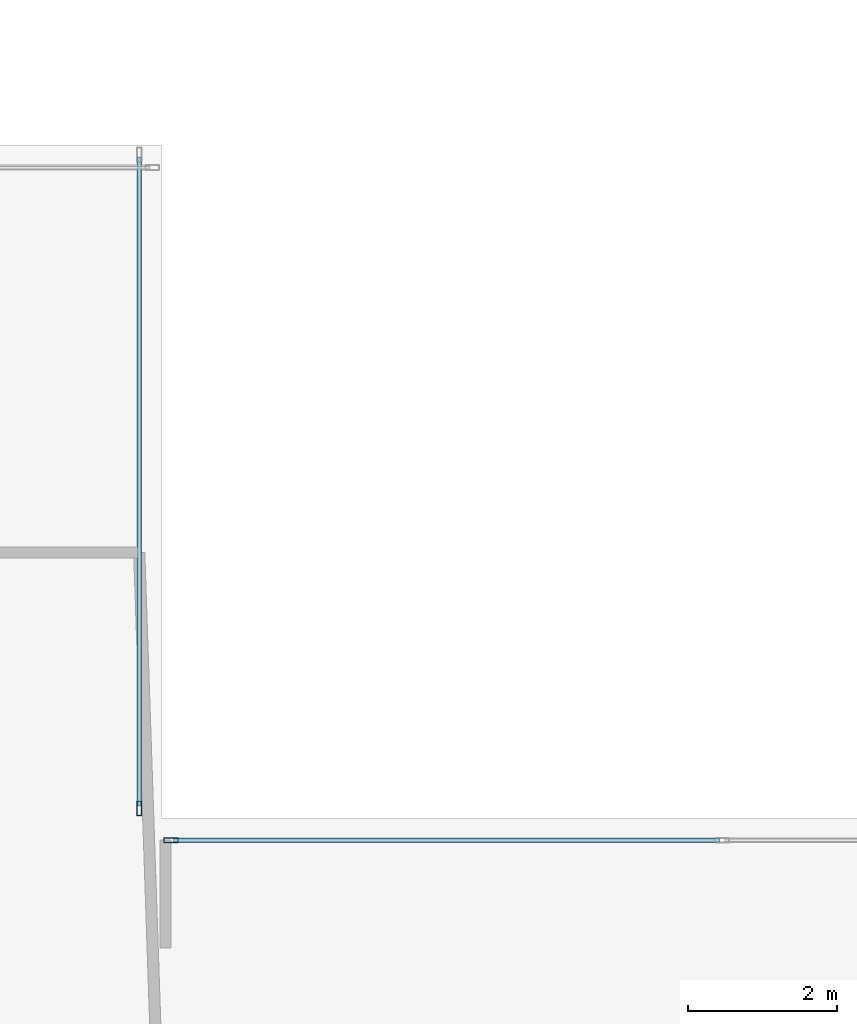
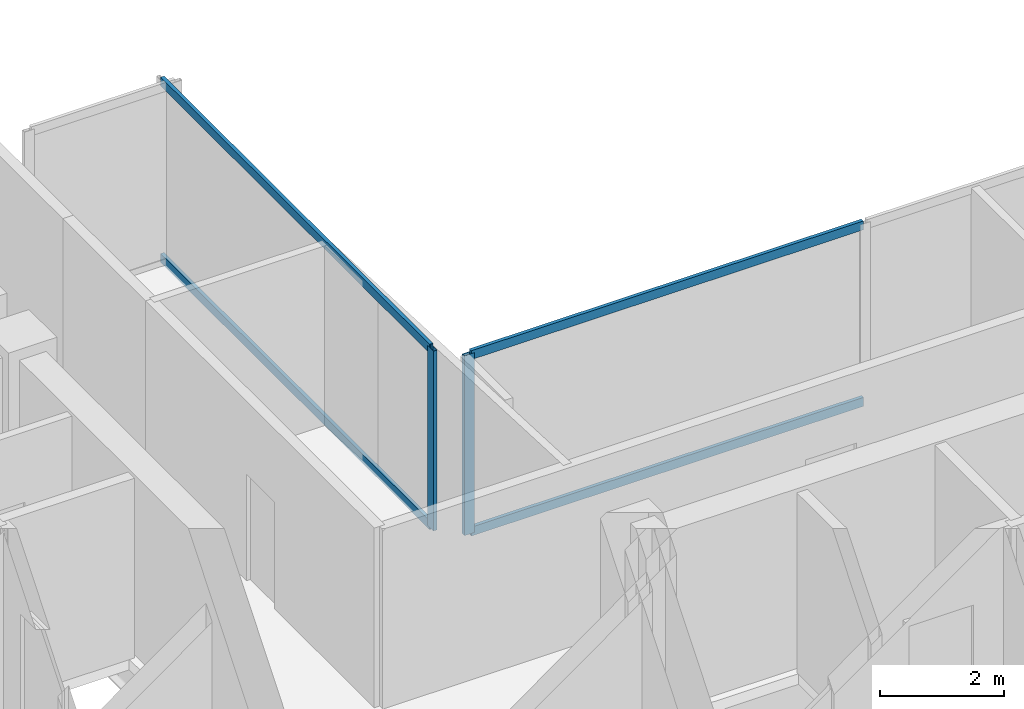
# One storey, part 9 of 21: 6 members, 2 elements without a shape of their own.
"""IFC4 building model written with IfcOpenShell, lengths in metres."""

from ifc_helpers import new_model, si_unit, direction, frame, origin, origin_2d, place, context, subcontext, project, spatial, hollow_rectangle, extrude, material, layer, layer_set, material_profile, profile_set, type_object, element, aggregate, save


model = new_model("IFC4")

# Units and contexts
model_context = context("Model", 3, precision=1e-05, world=origin(), true_north=direction((0.0, 1.0)))
body_context = subcontext(model_context, "Body", "Model", "MODEL_VIEW")
ifc_project = project(units=[si_unit("LENGTHUNIT", "METRE"), si_unit("AREAUNIT", "SQUARE_METRE"), si_unit("VOLUMEUNIT", "CUBIC_METRE"), si_unit("PLANEANGLEUNIT", "RADIAN"), si_unit("MASSUNIT", "GRAM", prefix="KILO"), si_unit("THERMODYNAMICTEMPERATUREUNIT", "KELVIN"), si_unit("POWERUNIT", "WATT")], contexts=[model_context])

# Site, building, storey
site_placement = place(None, origin())
site = spatial("IfcSite", under=ifc_project, at=site_placement, CompositionType="ELEMENT")
building_placement = place(site_placement, origin())
building = spatial("IfcBuilding", under=site, at=building_placement, Name="Svarakhadi Broadcast Tower", CompositionType="ELEMENT")
storey_placement = place(building_placement, frame((0.0, 0.0, 223.64990234375)))
storey = spatial("IfcBuildingStorey", under=building, at=storey_placement, Name="L55", CompositionType="ELEMENT", Elevation=223.64990234375)

# Curtain wall, member
ifc_material = material(Name="Anodised Bronze Aluminium AA 6063-T6", Category="aluminium")
ifc_layer = layer(ifc_material, 0.18994140625)
ifc_layer_set = layer_set([ifc_layer], Name="Anodised Bronze Aluminium AA 6063-T6")
curtain_wall_type = type_object("IfcCurtainWallType", Name="CW_Sys_04", PredefinedType="NOTDEFINED", material=ifc_layer_set)
curtain_wall_1_placement = place(storey_placement, origin())
curtain_wall_1 = element("IfcCurtainWall", 1, at=curtain_wall_1_placement, inside=storey, type_object=curtain_wall_type, Name="L55 Unitised Facade Curtain Wall 09", PredefinedType="NOTDEFINED")
ifc_material_profile_1 = material_profile(ifc_material, hollow_rectangle(XDim=0.070068359375, YDim=0.18994140625, WallThickness=0.005615234375, at=origin_2d()), Name="ALU MULLION 190x70x6")
ifc_profile_set_1 = profile_set([ifc_material_profile_1], Name="Anodised Bronze Aluminium AA 6063-T6")
member_type_1 = type_object("IfcMemberType", Name="CW_Sys_04_Mul", PredefinedType="MULLION", material=ifc_profile_set_1)
member_1_placement = place(storey_placement, frame((23.699951171875, 24.125, 0.0), z_axis=(0.0, 0.0, 1.0), x_axis=(1.0, 0.0, 0.0)))
member_1 = element("IfcMember", 2, at=member_1_placement, type_object=member_type_1, Name="CW-04 mullion 2", PredefinedType="MULLION", context=body_context, shape_type="SweptSolid", body=[
    extrude(hollow_rectangle(XDim=0.070068359375, YDim=0.18994140625, WallThickness=0.005615234375, at=origin_2d()), origin(), (0.0, 0.0, 1.0), 3.5400390625),
])

curtain_wall_2_placement = place(storey_placement, origin())
curtain_wall_2 = element("IfcCurtainWall", 3, at=curtain_wall_2_placement, inside=storey, type_object=curtain_wall_type, Name="L55 Unitised Facade Curtain Wall 10", PredefinedType="NOTDEFINED")
member_2_placement = place(storey_placement, frame((24.125, 23.699951171875, 0.0), z_axis=(0.0, 0.0, 1.0), x_axis=(0.0, 1.0, 0.0)))
member_2 = element("IfcMember", 4, at=member_2_placement, type_object=member_type_1, Name="CW-04 mullion 1", PredefinedType="MULLION", context=body_context, shape_type="SweptSolid", body=[
    extrude(hollow_rectangle(XDim=0.070068359375, YDim=0.18994140625, WallThickness=0.005615234375, at=origin_2d()), origin(), (0.0, 0.0, 1.0), 3.5400390625),
])

# Member
ifc_material_profile_2 = material_profile(ifc_material, hollow_rectangle(XDim=0.06494140625, YDim=0.175048828125, WallThickness=0.0048828125, at=origin_2d()), Name="ALU TRANSOM 175x65x5")
ifc_profile_set_2 = profile_set([ifc_material_profile_2], Name="Anodised Bronze Aluminium AA 6063-T6")
member_type_2 = type_object("IfcMemberType", Name="CW_Sys_04_Trn", PredefinedType="USERDEFINED", material=ifc_profile_set_2)
member_3_placement = place(storey_placement, frame((23.699951171875, 32.840087890625, 0.03271484375), z_axis=(0.0, -1.0, 0.0), x_axis=(1.0, 0.0, 0.0)))
member_3 = element("IfcMember", 5, at=member_3_placement, type_object=member_type_2, Name="CW-04 transom 1.1", ObjectType="TRANSOM", PredefinedType="USERDEFINED", context=body_context, shape_type="SweptSolid", body=[
    extrude(hollow_rectangle(XDim=0.06494140625, YDim=0.175048828125, WallThickness=0.0048828125, at=origin_2d()), origin(), (0.0, 0.0, 1.0), 8.68017578125),
])

member_4_placement = place(storey_placement, frame((23.699951171875, 32.840087890625, 3.507568359375), z_axis=(0.0, -1.0, 0.0), x_axis=(1.0, 0.0, 0.0)))
member_4 = element("IfcMember", 6, at=member_4_placement, type_object=member_type_2, Name="CW-04 transom 1.2", ObjectType="TRANSOM", PredefinedType="USERDEFINED", context=body_context, shape_type="SweptSolid", body=[
    extrude(hollow_rectangle(XDim=0.06494140625, YDim=0.175048828125, WallThickness=0.0048828125, at=origin_2d()), origin(), (0.0, 0.0, 1.0), 8.68017578125),
])

aggregate(curtain_wall_1, [member_1, member_3, member_4])

member_5_placement = place(storey_placement, frame((24.159912109375, 23.699951171875, 0.03271484375), z_axis=(1.0, 0.0, 0.0), x_axis=(0.0, 1.0, 0.0)))
member_5 = element("IfcMember", 7, at=member_5_placement, type_object=member_type_2, Name="CW-04 transom 1.1", ObjectType="TRANSOM", PredefinedType="USERDEFINED", context=body_context, shape_type="SweptSolid", body=[
    extrude(hollow_rectangle(XDim=0.06494140625, YDim=0.175048828125, WallThickness=0.0048828125, at=origin_2d()), origin(), (0.0, 0.0, 1.0), 7.30517578125),
])

member_6_placement = place(storey_placement, frame((24.159912109375, 23.699951171875, 3.507568359375), z_axis=(1.0, 0.0, 0.0), x_axis=(0.0, 1.0, 0.0)))
member_6 = element("IfcMember", 8, at=member_6_placement, type_object=member_type_2, Name="CW-04 transom 1.2", ObjectType="TRANSOM", PredefinedType="USERDEFINED", context=body_context, shape_type="SweptSolid", body=[
    extrude(hollow_rectangle(XDim=0.06494140625, YDim=0.175048828125, WallThickness=0.0048828125, at=origin_2d()), origin(), (0.0, 0.0, 1.0), 7.30517578125),
])

aggregate(curtain_wall_2, [member_2, member_5, member_6])

save(model, "model.ifc")
